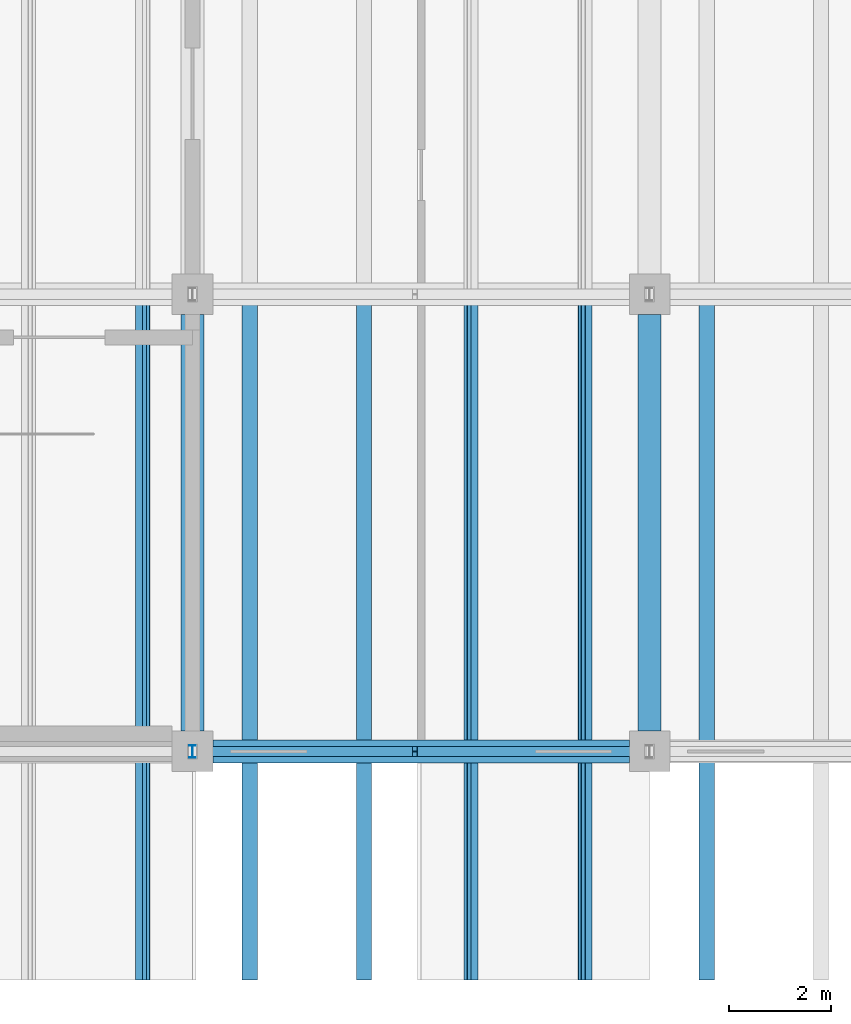
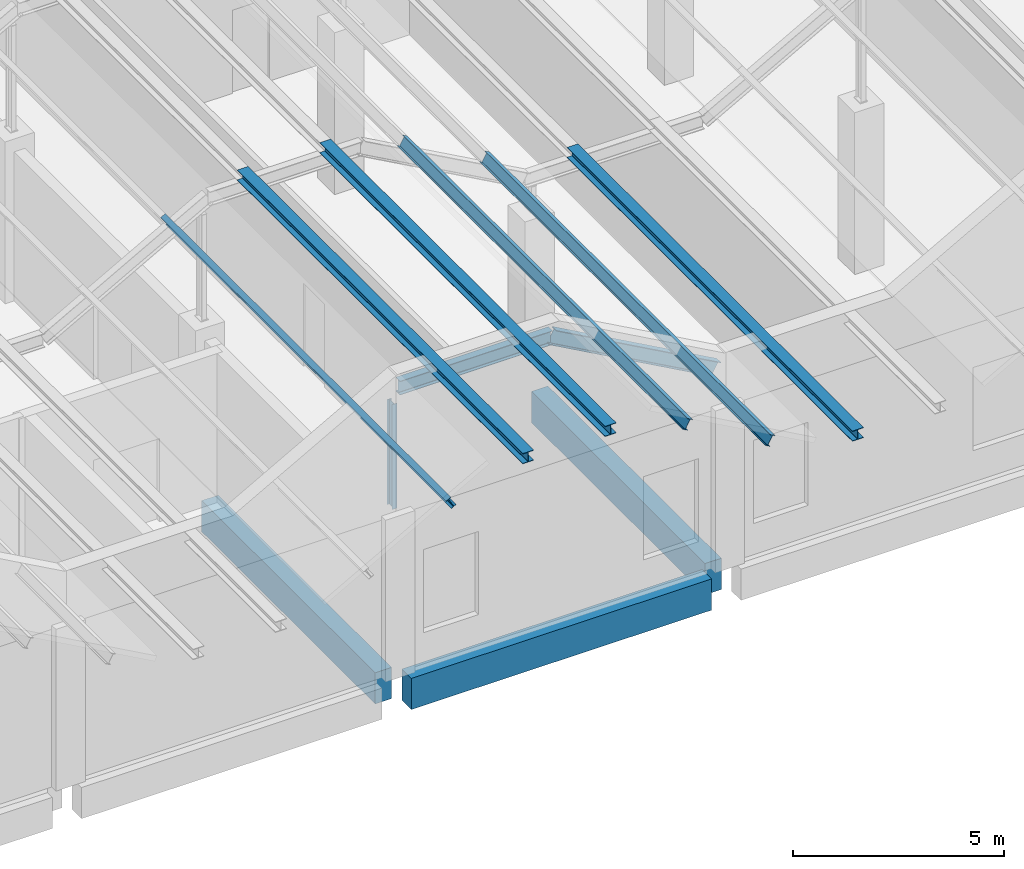
# One storey, part 13 of 437: 9 members, 3 beams.
"""IFC4 building model written with IfcOpenShell, lengths in metres."""

from ifc_helpers import new_model, si_unit, direction, frame, origin, origin_2d, place, context, subcontext, project, spatial, rectangle, i_section, extrude, material, material_profile, profile_set, type_object, element, save


model = new_model("IFC4")

# Units and contexts
model_context = context("Model", 3, precision=1e-05, world=origin(), true_north=direction((0.0, 1.0)))
body_context = subcontext(model_context, "Body", "Model", "MODEL_VIEW")
ifc_project = project(units=[si_unit("LENGTHUNIT", "METRE"), si_unit("AREAUNIT", "SQUARE_METRE"), si_unit("VOLUMEUNIT", "CUBIC_METRE"), si_unit("PLANEANGLEUNIT", "RADIAN"), si_unit("MASSUNIT", "GRAM", prefix="KILO")], contexts=[model_context])

# Site, building, storey
site_placement = place(None, origin())
site = spatial("IfcSite", under=ifc_project, at=site_placement, CompositionType="ELEMENT")
building_placement = place(site_placement, origin())
building = spatial("IfcBuilding", under=site, at=building_placement, Name="Opaline Strait Convention Centre", CompositionType="ELEMENT")
storey_placement = place(building_placement, frame((0.0, 0.0, 11.5)))
storey = spatial("IfcBuildingStorey", under=building, at=storey_placement, Name="L02", CompositionType="ELEMENT", Elevation=11.5)

# Members
ifc_material_1 = material(Name="Steel Q355B", Category="steel")
ifc_material_profile_1 = material_profile(ifc_material_1, i_section(OverallWidth=0.300048828125, OverallDepth=0.300048828125, WebThickness=0.010009765625, FlangeThickness=0.014892578125, FilletRadius=0.012939453125, at=origin_2d()), Name="HW 300x300x10x15")
ifc_profile_set_1 = profile_set([ifc_material_profile_1], Name="Steel Q355B")
member_type_1 = type_object("IfcMemberType", Name="Crest purlin HW 300x300x10x15", PredefinedType="PURLIN", material=ifc_profile_set_1)
for number, where, z_axis, x_axis, name in (
    (1, (28.125, 4.5, 8.449951171875), (0.0, 1.0, 0.0), (-1.0, 0.0, 0.0), "RU1 purlin facet 5 line 1"),
    (2, (30.375, 4.5, 8.449951171875), (0.0, 1.0, 0.0), (-1.0, 0.0, 0.0), "RU1 purlin facet 5 line 2"),
    (3, (37.125, 4.5, 5.949951171875), (0.0, 1.0, 0.0), (-1.0, 0.0, 0.0), "RU1 purlin facet 7 line 1"),
):
    element("IfcMember", number, at=place(storey_placement, frame(where, z_axis=z_axis, x_axis=x_axis)), inside=storey, type_object=member_type_1, Name=name, PredefinedType="PURLIN", context=body_context, shape_type="SweptSolid", body=[
        extrude(i_section(OverallWidth=0.300048828125, OverallDepth=0.300048828125, WebThickness=0.010009765625, FlangeThickness=0.014892578125, FilletRadius=0.012939453125, at=origin_2d()), origin(), (0.0, 0.0, 1.0), 13.5),
    ])

# Beams
ifc_material_2 = material(Name="Concrete C35", Category="concrete")
ifc_material_profile_2 = material_profile(ifc_material_2, rectangle(XDim=0.449951171875, YDim=0.89990234375, at=origin_2d()), Name="RC 450x900")
ifc_profile_set_2 = profile_set([ifc_material_profile_2], Name="Concrete C35")
beam_type = type_object("IfcBeamType", Name="RC beam 450x900 C35", PredefinedType="BEAM", material=ifc_profile_set_2)
for number, where, z_axis, x_axis, name in (
    (4, (27.39990234375, 9.0, -0.72998046875), (1.0, 0.0, 0.0), (0.0, 1.0, 0.0), "XB1 L02 27/9-36/9"),
    (5, (27.0, 9.39990234375, -0.72998046875), (0.0, 1.0, 0.0), (-1.0, 0.0, 0.0), "XB1 L02 27/9-27/18"),
    (6, (36.0, 9.39990234375, -0.72998046875), (0.0, 1.0, 0.0), (-1.0, 0.0, 0.0), "XB1 L02 36/9-36/18"),
):
    element("IfcBeam", number, at=place(storey_placement, frame(where, z_axis=z_axis, x_axis=x_axis)), inside=storey, type_object=beam_type, Name=name, PredefinedType="BEAM", context=body_context, shape_type="SweptSolid", body=[
        extrude(rectangle(XDim=0.449951171875, YDim=0.89990234375, at=origin_2d()), origin(), (0.0, 0.0, 1.0), 8.2001953125),
    ])

# Members
ifc_material_profile_3 = material_profile(ifc_material_1, i_section(OverallWidth=0.125, OverallDepth=0.25, WebThickness=0.006103515625, FlangeThickness=0.009033203125, FilletRadius=0.008056640625, at=origin_2d()), Name="HN 250x125x6x9")
ifc_profile_set_3 = profile_set([ifc_material_profile_3], Name="Steel Q355B")
member_type_2 = type_object("IfcMemberType", Name="Roof post HN 250x125x6x9", PredefinedType="STRUT", material=ifc_profile_set_3)
member_1_placement = place(storey_placement, frame((27.0, 9.0, 4.68994140625), z_axis=(0.0, 0.0, 1.0), x_axis=(1.0, 0.0, 0.0)))
element("IfcMember", 7, at=member_1_placement, inside=storey, type_object=member_type_2, Name="RP1 roof post at 27/9", PredefinedType="STRUT", context=body_context, shape_type="SweptSolid", body=[
    extrude(i_section(OverallWidth=0.125, OverallDepth=0.25, WebThickness=0.006103515625, FlangeThickness=0.009033203125, FilletRadius=0.008056640625, at=origin_2d()), origin(), (0.0, 0.0, 1.0), 3.031005859375),
])
ifc_material_profile_4 = material_profile(ifc_material_1, i_section(OverallWidth=0.14990234375, OverallDepth=0.300048828125, WebThickness=0.006591796875, FlangeThickness=0.009033203125, FilletRadius=0.012939453125, at=origin_2d()), Name="HN 300x150x6.5x9")
ifc_profile_set_4 = profile_set([ifc_material_profile_4], Name="Steel Q355B")
member_type_3 = type_object("IfcMemberType", Name="Roof purlin HN 300x150x6.5x9", PredefinedType="PURLIN", material=ifc_profile_set_4)
for number, where, z_axis, x_axis, name in (
    (8, (26.020751953125, 4.5, 7.86279296875), (0.0, 1.0, 0.0), (-0.874157310866, 0.0, -0.485642868639), "RU1 purlin facet 4 line 2"),
    (9, (32.479248046875, 4.5, 7.86279296875), (0.0, 1.0, 0.0), (-0.874157310866, 0.0, 0.485642868639), "RU1 purlin facet 6 line 1"),
    (10, (34.729248046875, 4.5, 6.61279296875), (0.0, 1.0, 0.0), (-0.874157310866, 0.0, 0.485642868639), "RU1 purlin facet 6 line 2"),
):
    element("IfcMember", number, at=place(storey_placement, frame(where, z_axis=z_axis, x_axis=x_axis)), inside=storey, type_object=member_type_3, Name=name, PredefinedType="PURLIN", context=body_context, shape_type="SweptSolid", body=[
        extrude(i_section(OverallWidth=0.14990234375, OverallDepth=0.300048828125, WebThickness=0.006591796875, FlangeThickness=0.009033203125, FilletRadius=0.012939453125, at=origin_2d()), origin(), (0.0, 0.0, 1.0), 13.5),
    ])
ifc_material_profile_5 = material_profile(ifc_material_1, i_section(OverallWidth=0.199951171875, OverallDepth=0.39990234375, WebThickness=0.008056640625, FlangeThickness=0.012939453125, FilletRadius=0.012939453125, at=origin_2d()), Name="HN 400x200x8x13")
ifc_profile_set_5 = profile_set([ifc_material_profile_5], Name="Steel Q355B")
member_type_4 = type_object("IfcMemberType", Name="Roof rafter HN 400x200x8x13", PredefinedType="RAFTER", material=ifc_profile_set_5)
member_2_placement = place(storey_placement, frame((27.16845703125, 9.0, 8.10009765625), z_axis=(1.0, 0.0, 0.0), x_axis=(0.0, 1.0, 0.0)))
element("IfcMember", 11, at=member_2_placement, inside=storey, type_object=member_type_4, Name="RR1 rafter line 1 facet 6", PredefinedType="RAFTER", context=body_context, shape_type="SweptSolid", body=[
    extrude(i_section(OverallWidth=0.199951171875, OverallDepth=0.39990234375, WebThickness=0.008056640625, FlangeThickness=0.012939453125, FilletRadius=0.012939453125, at=origin_2d()), origin(), (0.0, 0.0, 1.0), 4.1630859375),
])
member_3_placement = place(storey_placement, frame((31.33154296875, 9.0, 8.10009765625), z_axis=(0.874157276122, 0.0, -0.485642931179), x_axis=(0.0, 1.0, 0.0)))
element("IfcMember", 12, at=member_3_placement, inside=storey, type_object=member_type_4, Name="RR1 rafter line 1 facet 7", PredefinedType="RAFTER", context=body_context, shape_type="SweptSolid", body=[
    extrude(i_section(OverallWidth=0.199951171875, OverallDepth=0.39990234375, WebThickness=0.008056640625, FlangeThickness=0.012939453125, FilletRadius=0.012939453125, at=origin_2d()), origin(), (0.0, 0.0, 1.0), 5.147705078125),
])

save(model, "model.ifc")
